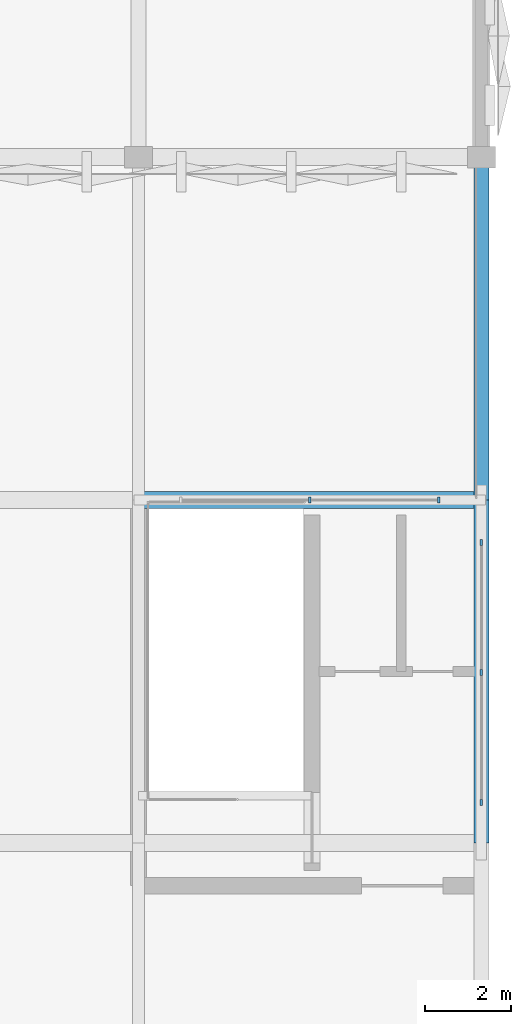
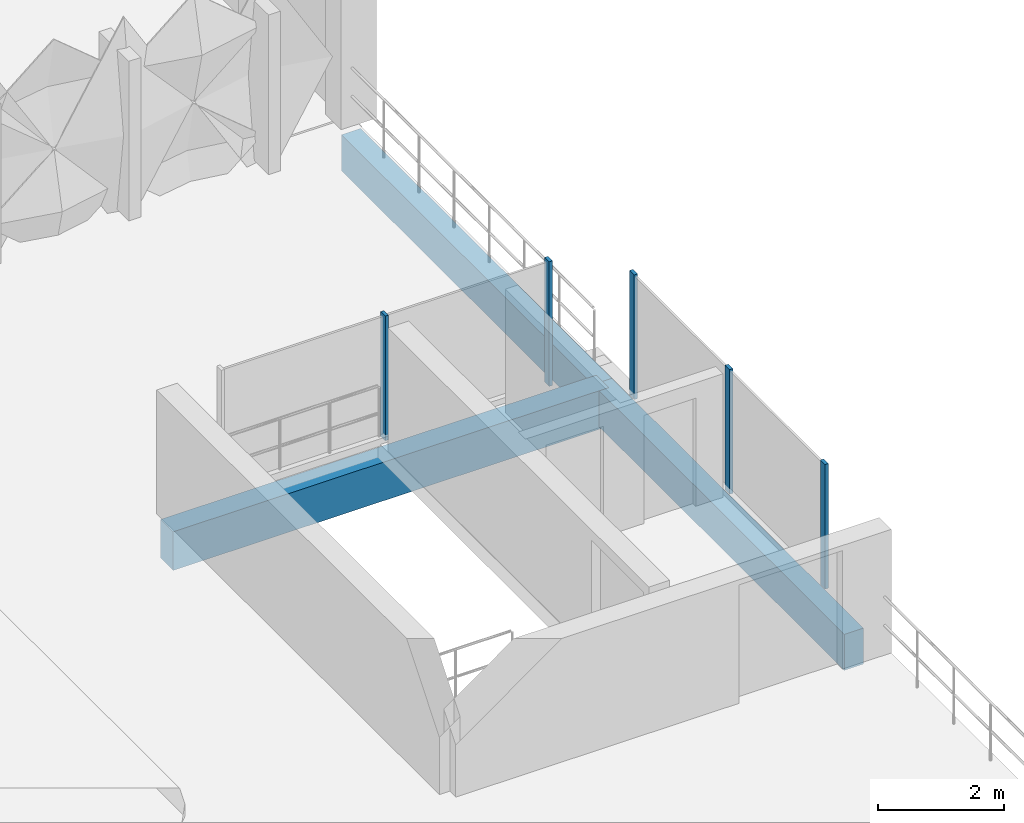
# One storey, part 21 of 76: 5 members, 3 beams, 2 elements without a shape of their own.
"""IFC4 building model written with IfcOpenShell, lengths in metres."""

from ifc_helpers import new_model, si_unit, derived_unit, direction, frame, origin, origin_2d, place, context, subcontext, project, spatial, rectangle, extrude, material, layer, layer_set, material_profile, profile_set, type_object, element, aggregate, save


model = new_model("IFC4")

# Units and contexts
model_context = context("Model", 3, precision=1e-05, world=origin(), true_north=direction((0.0, 1.0)))
body_context = subcontext(model_context, "Body", "Model", "MODEL_VIEW")
ifc_project = project(units=[si_unit("LENGTHUNIT", "METRE"), si_unit("AREAUNIT", "SQUARE_METRE"), si_unit("VOLUMEUNIT", "CUBIC_METRE"), si_unit("PLANEANGLEUNIT", "RADIAN"), si_unit("MASSUNIT", "GRAM", prefix="KILO"), si_unit("THERMODYNAMICTEMPERATUREUNIT", "KELVIN"), derived_unit("THERMALTRANSMITTANCEUNIT", [(si_unit("POWERUNIT", "WATT"), 1), (si_unit("AREAUNIT", "SQUARE_METRE"), -1), (si_unit("THERMODYNAMICTEMPERATUREUNIT", "KELVIN"), -1)])], contexts=[model_context])

# Site, building, storey
site_placement = place(None, origin())
site = spatial("IfcSite", under=ifc_project, at=site_placement, CompositionType="ELEMENT")
building_placement = place(site_placement, origin())
building = spatial("IfcBuilding", under=site, at=building_placement, Name="Haiyu Intermodal Mobility Hub", CompositionType="ELEMENT")
storey_placement = place(building_placement, frame((0.0, 0.0, 17.300048828125)))
storey = spatial("IfcBuildingStorey", under=building, at=storey_placement, Name="L04", CompositionType="ELEMENT", Elevation=17.300048828125)

# Beams
ifc_material_1 = material(Name="Concrete C40", Category="concrete")
ifc_material_profile_1 = material_profile(ifc_material_1, rectangle(XDim=0.39990234375, YDim=0.75, at=origin_2d()), Name="RCB400x750")
ifc_profile_set_1 = profile_set([ifc_material_profile_1], Name="Concrete C40")
beam_type_1 = type_object("IfcBeamType", Name="BM-CB03", PredefinedType="BEAM", material=ifc_profile_set_1)
beam_placement = place(storey_placement, frame((202.0, 72.0, -0.675048828125), z_axis=(1.0, 0.0, 0.0), x_axis=(0.0, 1.0, 0.0)))
element("IfcBeam", 1, at=beam_placement, inside=storey, type_object=beam_type_1, Name="BM-V5G-L04-055", PredefinedType="BEAM", context=body_context, shape_type="SweptSolid", body=[
    extrude(rectangle(XDim=0.39990234375, YDim=0.75, at=origin_2d()), origin(), (0.0, 0.0, 1.0), 8.0),
])
ifc_material_profile_2 = material_profile(ifc_material_1, rectangle(XDim=0.35009765625, YDim=0.699951171875, at=origin_2d()), Name="RCB350x700")
ifc_profile_set_2 = profile_set([ifc_material_profile_2], Name="Concrete C40")
beam_type_2 = type_object("IfcBeamType", Name="BM-CB06", PredefinedType="BEAM", material=ifc_profile_set_2)
for number, where, z_axis, x_axis, name in (
    (2, (210.0, 64.0, -0.650146484375), (0.0, 1.0, 0.0), (-1.0, 0.0, 0.0), "BM-V5T-L04-062"),
    (3, (210.0, 72.0, -0.650146484375), (0.0, 1.0, 0.0), (-1.0, 0.0, 0.0), "BM-V5T-L04-063"),
):
    element("IfcBeam", number, at=place(storey_placement, frame(where, z_axis=z_axis, x_axis=x_axis)), inside=storey, type_object=beam_type_2, Name=name, PredefinedType="BEAM", context=body_context, shape_type="SweptSolid", body=[
        extrude(rectangle(XDim=0.35009765625, YDim=0.699951171875, at=origin_2d()), origin(), (0.0, 0.0, 1.0), 8.0),
    ])

# Curtain wall, members
ifc_material_2 = material(Name="Low-e laminated insulating glass", Category="glass")
ifc_layer = layer(ifc_material_2, 0.199951171875)
ifc_layer_set = layer_set([ifc_layer], Name="Low-e laminated insulating glass")
curtain_wall_type = type_object("IfcCurtainWallType", Name="CW-CW03", PredefinedType="NOTDEFINED", material=ifc_layer_set)
curtain_wall_1_placement = place(storey_placement, origin())
curtain_wall_1 = element("IfcCurtainWall", 4, at=curtain_wall_1_placement, inside=storey, type_object=curtain_wall_type, Name="Curtain Wall CW-CPAR-C9-E", PredefinedType="NOTDEFINED")
ifc_material_3 = material(Name="Anodised aluminium 6063-T6", Category="aluminium")
ifc_material_profile_3 = material_profile(ifc_material_3, rectangle(XDim=0.06005859375, YDim=0.14501953125, at=origin_2d()), Name="ALU60x145")
ifc_profile_set_3 = profile_set([ifc_material_profile_3], Name="Anodised aluminium 6063-T6")
member_type = type_object("IfcMemberType", Name="CWM-ML03", PredefinedType="MULLION", material=ifc_profile_set_3)
member_1_placement = place(storey_placement, frame((210.0, 64.93994140625, 0.0), z_axis=(0.0, 0.0, 1.0), x_axis=(1.0, 0.0, 0.0)))
member_1 = element("IfcMember", 5, at=member_1_placement, type_object=member_type, Name="CW-CPAR-C9-E-ML01", PredefinedType="MULLION", context=body_context, shape_type="SweptSolid", body=[
    extrude(rectangle(XDim=0.06005859375, YDim=0.14501953125, at=origin_2d()), origin(), (0.0, 0.0, 1.0), 2.4208984375),
])
member_2_placement = place(storey_placement, frame((210.0, 67.97509765625, 0.0), z_axis=(0.0, 0.0, 1.0), x_axis=(1.0, 0.0, 0.0)))
member_2 = element("IfcMember", 6, at=member_2_placement, type_object=member_type, Name="CW-CPAR-C9-E-ML02", PredefinedType="MULLION", context=body_context, shape_type="SweptSolid", body=[
    extrude(rectangle(XDim=0.06005859375, YDim=0.14501953125, at=origin_2d()), origin(), (0.0, 0.0, 1.0), 2.4208984375),
])
member_3_placement = place(storey_placement, frame((210.0, 71.010009765625, 0.0), z_axis=(0.0, 0.0, 1.0), x_axis=(1.0, 0.0, 0.0)))
member_3 = element("IfcMember", 7, at=member_3_placement, type_object=member_type, Name="CW-CPAR-C9-E-ML03", PredefinedType="MULLION", context=body_context, shape_type="SweptSolid", body=[
    extrude(rectangle(XDim=0.06005859375, YDim=0.14501953125, at=origin_2d()), origin(), (0.0, 0.0, 1.0), 2.4208984375),
])
aggregate(curtain_wall_1, [member_1, member_2, member_3])

curtain_wall_2_placement = place(storey_placement, origin())
curtain_wall_2 = element("IfcCurtainWall", 8, at=curtain_wall_2_placement, inside=storey, type_object=curtain_wall_type, Name="Curtain Wall CW-CPAR-C9-N", PredefinedType="NOTDEFINED")
member_4_placement = place(storey_placement, frame((209.010009765625, 72.0, 0.0), z_axis=(0.0, 0.0, 1.0), x_axis=(1.0, 0.0, 0.0)))
member_4 = element("IfcMember", 9, at=member_4_placement, type_object=member_type, Name="CW-CPAR-C9-N-ML01", PredefinedType="MULLION", context=body_context, shape_type="SweptSolid", body=[
    extrude(rectangle(XDim=0.06005859375, YDim=0.14501953125, at=origin_2d()), origin(), (0.0, 0.0, 1.0), 2.4208984375),
])
member_5_placement = place(storey_placement, frame((206.0, 72.0, 0.0), z_axis=(0.0, 0.0, 1.0), x_axis=(1.0, 0.0, 0.0)))
member_5 = element("IfcMember", 10, at=member_5_placement, type_object=member_type, Name="CW-CPAR-C9-N-ML02", PredefinedType="MULLION", context=body_context, shape_type="SweptSolid", body=[
    extrude(rectangle(XDim=0.06005859375, YDim=0.14501953125, at=origin_2d()), origin(), (0.0, 0.0, 1.0), 2.4208984375),
])
aggregate(curtain_wall_2, [member_4, member_5])

save(model, "model.ifc")
